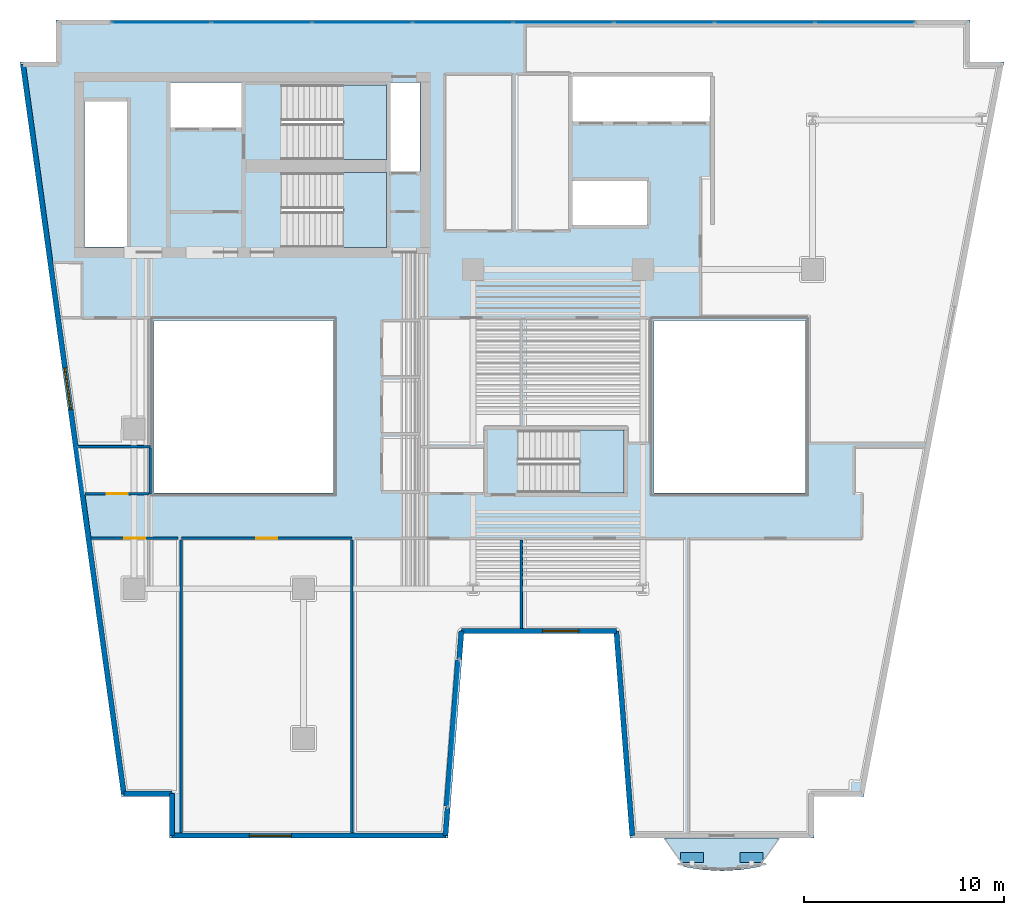
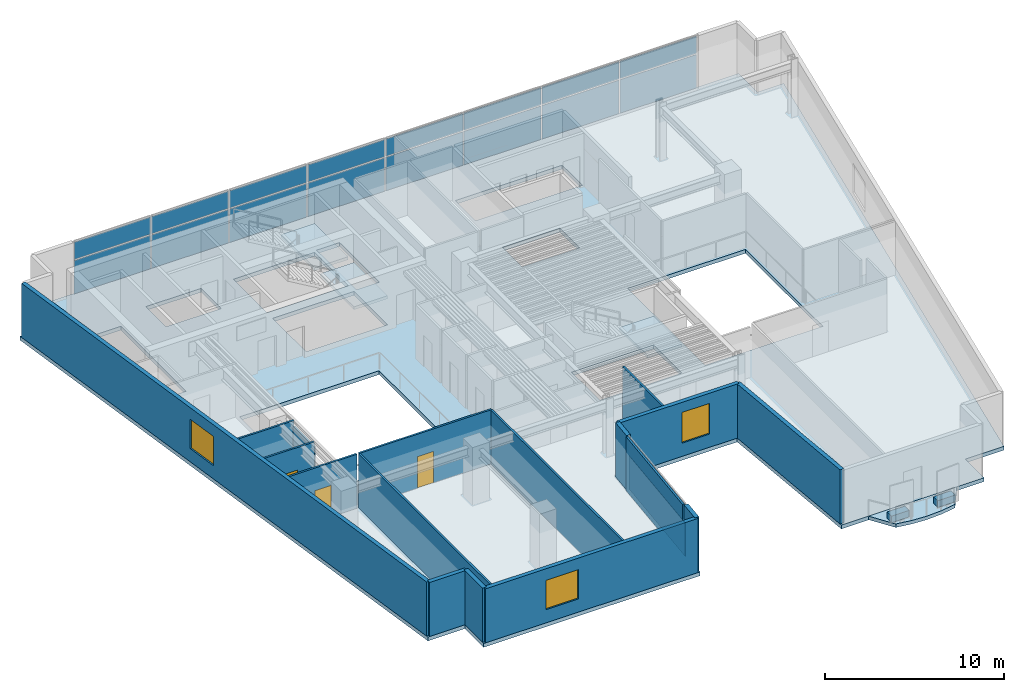
# One storey, part 5 of 12: 20 plates, 17 walls, 5 slabs, 3 doors, 3 windows, 6 openings, 5 elements without a shape of their own.
"""IFC4 building model written with IfcOpenShell, lengths in metres."""

from ifc_helpers import new_model, si_unit, direction, frame, frame_2d, origin, origin_2d, place, context, subcontext, project, spatial, polyline, rectangle, outline, extrude, material, layer, layer_set, type_object, element, fill, aggregate, save


model = new_model("IFC4")

# Units and contexts
model_context = context("Model", 3, precision=1e-05, world=origin(), true_north=direction((0.0, 1.0)))
body_context = subcontext(model_context, "Body", "Model", "MODEL_VIEW")
ifc_project = project(units=[si_unit("LENGTHUNIT", "METRE"), si_unit("AREAUNIT", "SQUARE_METRE"), si_unit("VOLUMEUNIT", "CUBIC_METRE"), si_unit("PLANEANGLEUNIT", "RADIAN"), si_unit("MASSUNIT", "GRAM", prefix="KILO")], contexts=[model_context])

# Site, building, storey
site_placement = place(None, origin())
site = spatial("IfcSite", under=ifc_project, at=site_placement, CompositionType="ELEMENT")
building_placement = place(site_placement, origin())
building = spatial("IfcBuilding", under=site, at=building_placement, Name="Caeloran Harvest Quay", CompositionType="ELEMENT")
storey_placement = place(building_placement, frame((0.0, 0.0, 150.89990234375)))
storey = spatial("IfcBuildingStorey", under=building, at=storey_placement, Name="L35", CompositionType="ELEMENT", Elevation=150.89990234375)

# Slab
ifc_material_1 = material(Name="Concrete C50/60", Category="concrete")
ifc_layer_1 = layer(ifc_material_1, 0.239990234375, Name="Concrete C50/60")
ifc_layer_set_1 = layer_set([ifc_layer_1], Name="Concrete C50/60")
slab_type_1 = type_object("IfcSlabType", Name="BALCONY-BL-240", PredefinedType="FLOOR", material=ifc_layer_set_1)
slab_1_placement = place(storey_placement, frame((0.0, 0.0, -0.239990234375)))
element("IfcSlab", 1, at=slab_1_placement, inside=storey, type_object=slab_type_1, Name="L35 Scalloped Cantilevered Planted Balcony Slab", PredefinedType="FLOOR", context=body_context, shape_type="SweptSolid", body=[
    extrude(outline(polyline([(39.869873046875, 1.070556640625), (38.913818359375, 0.9169921875), (37.95751953125, 0.861083984375), (37.001220703125, 0.9169921875), (36.045166015625, 1.070556640625), (35.102294921875, 2.5), (40.812744140625, 2.5), (39.869873046875, 1.070556640625)])), origin(), (0.0, 0.0, 1.0), 0.239990234375),
])

# Curtain wall, plates
ifc_material_2 = material(Name="Aluminium 6063-T6 and Low-E Glazing", Category="aluminium")
ifc_layer_2 = layer(ifc_material_2, 0.22998046875, Name="Aluminium 6063-T6 and Low-E Glazing")
ifc_layer_set_2 = layer_set([ifc_layer_2], Name="Aluminium 6063-T6 and Low-E Glazing")
curtain_wall_type = type_object("IfcCurtainWallType", Name="CW-SYS-CW-6", PredefinedType="USERDEFINED", material=ifc_layer_set_2)
curtain_wall_1_placement = place(storey_placement, origin())
curtain_wall_1 = element("IfcCurtainWall", 2, at=curtain_wall_1_placement, inside=storey, type_object=curtain_wall_type, Name="L35 Unitised Curtain Wall CW-6 Run 6", ObjectType="CURTAIN_WALL", PredefinedType="USERDEFINED")
ifc_material_3 = material(Name="Low-E Double Glazed Vision Glass Unit", Category="glass")
ifc_layer_3 = layer(ifc_material_3, 0.035888671875, Name="Low-E Double Glazed Vision Glass Unit")
ifc_layer_set_3 = layer_set([ifc_layer_3], Name="Low-E Double Glazed Vision Glass Unit")
plate_type_1 = type_object("IfcPlateType", Name="CW-VISION-PANEL", PredefinedType="CURTAIN_PANEL", material=ifc_layer_set_3)
plate_1_placement = place(storey_placement, frame((9.871337890625, 43.3701171875, 0.080078125), z_axis=(0.0, 0.0, 1.0), x_axis=(1.0, 0.0, 0.0)))
plate_1 = element("IfcPlate", 3, at=plate_1_placement, type_object=plate_type_1, Name="CW-6 panel 1.1", PredefinedType="CURTAIN_PANEL", context=body_context, shape_type="SweptSolid", body=[
    extrude(rectangle(XDim=4.922607421875, YDim=0.035888671875, at=origin_2d()), origin(), (0.0, 0.0, 1.0), 2.280029296875),
])
plate_2_placement = place(storey_placement, frame((9.871337890625, 43.3701171875, 2.440185546875), z_axis=(0.0, 0.0, 1.0), x_axis=(1.0, 0.0, 0.0)))
plate_2 = element("IfcPlate", 4, at=plate_2_placement, type_object=plate_type_1, Name="CW-6 panel 1.2", PredefinedType="CURTAIN_PANEL", context=body_context, shape_type="SweptSolid", body=[
    extrude(rectangle(XDim=4.922607421875, YDim=0.035888671875, at=origin_2d()), origin(), (0.0, 0.0, 1.0), 1.169921875),
])
plate_3_placement = place(storey_placement, frame((14.893798828125, 43.3701171875, 0.080078125), z_axis=(0.0, 0.0, 1.0), x_axis=(1.0, 0.0, 0.0)))
plate_3 = element("IfcPlate", 5, at=plate_3_placement, type_object=plate_type_1, Name="CW-6 panel 2.1", PredefinedType="CURTAIN_PANEL", context=body_context, shape_type="SweptSolid", body=[
    extrude(rectangle(XDim=4.96240234375, YDim=0.035888671875, at=origin_2d()), origin(), (0.0, 0.0, 1.0), 2.280029296875),
])
plate_4_placement = place(storey_placement, frame((14.893798828125, 43.3701171875, 2.440185546875), z_axis=(0.0, 0.0, 1.0), x_axis=(1.0, 0.0, 0.0)))
plate_4 = element("IfcPlate", 6, at=plate_4_placement, type_object=plate_type_1, Name="CW-6 panel 2.2", PredefinedType="CURTAIN_PANEL", context=body_context, shape_type="SweptSolid", body=[
    extrude(rectangle(XDim=4.96240234375, YDim=0.035888671875, at=origin_2d()), origin(), (0.0, 0.0, 1.0), 1.169921875),
])
plate_5_placement = place(storey_placement, frame((19.936279296875, 43.3701171875, 0.080078125), z_axis=(0.0, 0.0, 1.0), x_axis=(1.0, 0.0, 0.0)))
plate_5 = element("IfcPlate", 7, at=plate_5_placement, type_object=plate_type_1, Name="CW-6 panel 3.1", PredefinedType="CURTAIN_PANEL", context=body_context, shape_type="SweptSolid", body=[
    extrude(rectangle(XDim=4.96240234375, YDim=0.035888671875, at=origin_2d()), origin(), (0.0, 0.0, 1.0), 2.280029296875),
])
plate_6_placement = place(storey_placement, frame((19.936279296875, 43.3701171875, 2.440185546875), z_axis=(0.0, 0.0, 1.0), x_axis=(1.0, 0.0, 0.0)))
plate_6 = element("IfcPlate", 8, at=plate_6_placement, type_object=plate_type_1, Name="CW-6 panel 3.2", PredefinedType="CURTAIN_PANEL", context=body_context, shape_type="SweptSolid", body=[
    extrude(rectangle(XDim=4.96240234375, YDim=0.035888671875, at=origin_2d()), origin(), (0.0, 0.0, 1.0), 1.169921875),
])
plate_7_placement = place(storey_placement, frame((24.978759765625, 43.3701171875, 0.080078125), z_axis=(0.0, 0.0, 1.0), x_axis=(1.0, 0.0, 0.0)))
plate_7 = element("IfcPlate", 9, at=plate_7_placement, type_object=plate_type_1, Name="CW-6 panel 4.1", PredefinedType="CURTAIN_PANEL", context=body_context, shape_type="SweptSolid", body=[
    extrude(rectangle(XDim=4.96240234375, YDim=0.035888671875, at=origin_2d()), origin(), (0.0, 0.0, 1.0), 2.280029296875),
])
plate_8_placement = place(storey_placement, frame((24.978759765625, 43.3701171875, 2.440185546875), z_axis=(0.0, 0.0, 1.0), x_axis=(1.0, 0.0, 0.0)))
plate_8 = element("IfcPlate", 10, at=plate_8_placement, type_object=plate_type_1, Name="CW-6 panel 4.2", PredefinedType="CURTAIN_PANEL", context=body_context, shape_type="SweptSolid", body=[
    extrude(rectangle(XDim=4.96240234375, YDim=0.035888671875, at=origin_2d()), origin(), (0.0, 0.0, 1.0), 1.169921875),
])
plate_9_placement = place(storey_placement, frame((30.021240234375, 43.3701171875, 0.080078125), z_axis=(0.0, 0.0, 1.0), x_axis=(1.0, 0.0, 0.0)))
plate_9 = element("IfcPlate", 11, at=plate_9_placement, type_object=plate_type_1, Name="CW-6 panel 5.1", PredefinedType="CURTAIN_PANEL", context=body_context, shape_type="SweptSolid", body=[
    extrude(rectangle(XDim=4.96240234375, YDim=0.035888671875, at=origin_2d()), origin(), (0.0, 0.0, 1.0), 2.280029296875),
])
plate_10_placement = place(storey_placement, frame((30.021240234375, 43.3701171875, 2.440185546875), z_axis=(0.0, 0.0, 1.0), x_axis=(1.0, 0.0, 0.0)))
plate_10 = element("IfcPlate", 12, at=plate_10_placement, type_object=plate_type_1, Name="CW-6 panel 5.2", PredefinedType="CURTAIN_PANEL", context=body_context, shape_type="SweptSolid", body=[
    extrude(rectangle(XDim=4.96240234375, YDim=0.035888671875, at=origin_2d()), origin(), (0.0, 0.0, 1.0), 1.169921875),
])
plate_11_placement = place(storey_placement, frame((35.063720703125, 43.3701171875, 0.080078125), z_axis=(0.0, 0.0, 1.0), x_axis=(1.0, 0.0, 0.0)))
plate_11 = element("IfcPlate", 13, at=plate_11_placement, type_object=plate_type_1, Name="CW-6 panel 6.1", PredefinedType="CURTAIN_PANEL", context=body_context, shape_type="SweptSolid", body=[
    extrude(rectangle(XDim=4.96240234375, YDim=0.035888671875, at=origin_2d()), origin(), (0.0, 0.0, 1.0), 2.280029296875),
])
plate_12_placement = place(storey_placement, frame((35.063720703125, 43.3701171875, 2.440185546875), z_axis=(0.0, 0.0, 1.0), x_axis=(1.0, 0.0, 0.0)))
plate_12 = element("IfcPlate", 14, at=plate_12_placement, type_object=plate_type_1, Name="CW-6 panel 6.2", PredefinedType="CURTAIN_PANEL", context=body_context, shape_type="SweptSolid", body=[
    extrude(rectangle(XDim=4.96240234375, YDim=0.035888671875, at=origin_2d()), origin(), (0.0, 0.0, 1.0), 1.169921875),
])
plate_13_placement = place(storey_placement, frame((40.106201171875, 43.3701171875, 0.080078125), z_axis=(0.0, 0.0, 1.0), x_axis=(1.0, 0.0, 0.0)))
plate_13 = element("IfcPlate", 15, at=plate_13_placement, type_object=plate_type_1, Name="CW-6 panel 7.1", PredefinedType="CURTAIN_PANEL", context=body_context, shape_type="SweptSolid", body=[
    extrude(rectangle(XDim=4.96240234375, YDim=0.035888671875, at=origin_2d()), origin(), (0.0, 0.0, 1.0), 2.280029296875),
])
plate_14_placement = place(storey_placement, frame((40.106201171875, 43.3701171875, 2.440185546875), z_axis=(0.0, 0.0, 1.0), x_axis=(1.0, 0.0, 0.0)))
plate_14 = element("IfcPlate", 16, at=plate_14_placement, type_object=plate_type_1, Name="CW-6 panel 7.2", PredefinedType="CURTAIN_PANEL", context=body_context, shape_type="SweptSolid", body=[
    extrude(rectangle(XDim=4.96240234375, YDim=0.035888671875, at=origin_2d()), origin(), (0.0, 0.0, 1.0), 1.169921875),
])
plate_15_placement = place(storey_placement, frame((45.128662109375, 43.3701171875, 0.080078125), z_axis=(0.0, 0.0, 1.0), x_axis=(1.0, 0.0, 0.0)))
plate_15 = element("IfcPlate", 17, at=plate_15_placement, type_object=plate_type_1, Name="CW-6 panel 8.1", PredefinedType="CURTAIN_PANEL", context=body_context, shape_type="SweptSolid", body=[
    extrude(rectangle(XDim=4.922607421875, YDim=0.035888671875, at=origin_2d()), origin(), (0.0, 0.0, 1.0), 2.280029296875),
])
plate_16_placement = place(storey_placement, frame((45.128662109375, 43.3701171875, 2.440185546875), z_axis=(0.0, 0.0, 1.0), x_axis=(1.0, 0.0, 0.0)))
plate_16 = element("IfcPlate", 18, at=plate_16_placement, type_object=plate_type_1, Name="CW-6 panel 8.2", PredefinedType="CURTAIN_PANEL", context=body_context, shape_type="SweptSolid", body=[
    extrude(rectangle(XDim=4.922607421875, YDim=0.035888671875, at=origin_2d()), origin(), (0.0, 0.0, 1.0), 1.169921875),
])
aggregate(curtain_wall_1, [plate_1, plate_2, plate_3, plate_4, plate_5, plate_6, plate_7, plate_8, plate_9, plate_10, plate_11, plate_12, plate_13, plate_14, plate_15, plate_16])

curtain_wall_2_placement = place(storey_placement, origin())
curtain_wall_2 = element("IfcCurtainWall", 19, at=curtain_wall_2_placement, inside=storey, type_object=curtain_wall_type, Name="L35 Unitised Curtain Wall CW-6 Run 15", ObjectType="CURTAIN_WALL", PredefinedType="USERDEFINED")
plate_17_placement = place(storey_placement, frame((24.509765625, 7.7548828125, 0.080078125), z_axis=(0.0, 0.0, 1.0), x_axis=(-0.077821861046, -0.996967280277, 0.0)))
plate_17 = element("IfcPlate", 20, at=plate_17_placement, type_object=plate_type_1, Name="CW-6 panel 1.1", PredefinedType="CURTAIN_PANEL", context=body_context, shape_type="SweptSolid", body=[
    extrude(rectangle(XDim=7.3212890625, YDim=0.035888671875, at=origin_2d()), origin(), (0.0, 0.0, 1.0), 2.280029296875),
])
plate_18_placement = place(storey_placement, frame((24.509765625, 7.7548828125, 2.440185546875), z_axis=(0.0, 0.0, 1.0), x_axis=(-0.077821861046, -0.996967280277, 0.0)))
plate_18 = element("IfcPlate", 21, at=plate_18_placement, type_object=plate_type_1, Name="CW-6 panel 1.2", PredefinedType="CURTAIN_PANEL", context=body_context, shape_type="SweptSolid", body=[
    extrude(rectangle(XDim=7.3212890625, YDim=0.035888671875, at=origin_2d()), origin(), (0.0, 0.0, 1.0), 1.169921875),
])
aggregate(curtain_wall_2, [plate_17, plate_18])

# Plates
ifc_material_4 = material(Name="Precast concrete C50/60", Category="concrete")
ifc_layer_4 = layer(ifc_material_4, 0.449951171875, Name="Precast concrete C50/60")
ifc_layer_set_4 = layer_set([ifc_layer_4], Name="Precast concrete C50/60")
plate_type_2 = type_object("IfcPlateType", Name="PLANTER-TROUGH-450", PredefinedType="USERDEFINED", material=ifc_layer_set_4)
for number, where, z_axis, x_axis, name in (
    (22, (39.44921875, 1.533203125, 0.0), (0.0, 0.0, 1.0), (1.0, 0.0, 0.0), "L35 Balcony Vertical-Greenery Precast PLANTER Trough 1"),
    (23, (36.4658203125, 1.533203125, 0.0), (0.0, 0.0, 1.0), (1.0, 0.0, 0.0), "L35 Balcony Vertical-Greenery Precast PLANTER Trough 2"),
):
    element("IfcPlate", number, at=place(storey_placement, frame(where, z_axis=z_axis, x_axis=x_axis)), inside=storey, type_object=plate_type_2, Name=name, ObjectType="PLANTER", PredefinedType="USERDEFINED", context=body_context, shape_type="SweptSolid", body=[
        extrude(rectangle(XDim=1.14990234375, YDim=0.47998046875, at=origin_2d()), origin(), (0.0, 0.0, 1.0), 0.449951171875),
    ])

# Slab
ifc_layer_5 = layer(ifc_material_1, 0.260009765625, Name="Concrete C50/60")
ifc_layer_set_5 = layer_set([ifc_layer_5], Name="Concrete C50/60")
slab_type_2 = type_object("IfcSlabType", Name="SLAB-FS-260", PredefinedType="FLOOR", material=ifc_layer_set_5)
slab_2_placement = place(storey_placement, frame((0.0, 0.0, -0.260009765625)))
element("IfcSlab", 24, at=slab_2_placement, inside=storey, type_object=slab_type_2, Name="L35 Structural Floor Slab", PredefinedType="FLOOR", context=body_context, shape_type="SweptSolid", body=[
    extrude(outline(polyline([(10.27001953125, 2.5), (24.22998046875, 2.5), (25.030029296875, 12.75), (32.554931640625, 12.75), (33.35498046875, 2.5), (42.570068359375, 2.5), (42.570068359375, 4.60009765625), (45.071044921875, 4.60009765625), (52.09912109375, 41.39990234375), (50.39990234375, 41.39990234375), (50.39990234375, 43.5), (4.60009765625, 43.5), (4.60009765625, 41.39990234375), (2.790283203125, 41.39990234375), (7.879638671875, 4.60009765625), (10.27001953125, 4.60009765625), (10.27001953125, 2.5)]), holes=[polyline([(27.75, 19.800048828125), (27.75, 22.949951171875), (33.050048828125, 22.949951171875), (33.050048828125, 19.800048828125), (27.75, 19.800048828125)]), polyline([(18.5, 19.800048828125), (9.5, 19.800048828125), (9.5, 28.449951171875), (18.5, 28.449951171875), (18.5, 19.800048828125)]), polyline([(42.14990234375, 19.800048828125), (34.550048828125, 19.800048828125), (34.550048828125, 28.449951171875), (42.14990234375, 28.449951171875), (42.14990234375, 19.800048828125)]), polyline([(15.89990234375, 35.85009765625), (21.14990234375, 35.85009765625), (21.14990234375, 32.10009765625), (15.89990234375, 32.10009765625), (15.89990234375, 35.85009765625)]), polyline([(30.47998046875, 33.219970703125), (30.47998046875, 35.429931640625), (34.199951171875, 35.429931640625), (34.199951171875, 33.219970703125), (30.47998046875, 33.219970703125)]), polyline([(8.159912109375, 32.1201171875), (6.02001953125, 32.1201171875), (6.02001953125, 39.419921875), (8.159912109375, 39.419921875), (8.159912109375, 32.1201171875)]), polyline([(22.830078125, 35.919921875), (21.35009765625, 35.919921875), (21.35009765625, 40.3798828125), (22.830078125, 40.3798828125), (22.830078125, 35.919921875)]), polyline([(15.89990234375, 36.5), (15.89990234375, 40.25), (21.14990234375, 40.25), (21.14990234375, 36.5), (15.89990234375, 36.5)]), polyline([(10.320068359375, 38.1201171875), (10.320068359375, 40.3798828125), (13.89990234375, 40.3798828125), (13.89990234375, 38.1201171875), (10.320068359375, 38.1201171875)]), polyline([(30.47998046875, 38.419921875), (30.47998046875, 40.679931640625), (37.3798828125, 40.679931640625), (37.3798828125, 38.419921875), (30.47998046875, 38.419921875)])]), origin(), (0.0, 0.0, 1.0), 0.260009765625),
])

# Stair, slab
stair_type_1 = type_object("IfcStairType", Name="STAIR-STC-180", PredefinedType="HALF_TURN_STAIR", material=ifc_material_1)
stair_1_placement = place(storey_placement, origin())
stair_1 = element("IfcStair", 25, at=stair_1_placement, inside=storey, type_object=stair_type_1, Name="L35 Core Pressurized Exit Stair ST-C1", PredefinedType="HALF_TURN_STAIR")
ifc_layer_6 = layer(ifc_material_1, 0.219970703125, Name="Concrete C50/60")
ifc_layer_set_6 = layer_set([ifc_layer_6], Name="Concrete C50/60")
slab_type_3 = type_object("IfcSlabType", Name="STAIR-LANDING-220", PredefinedType="LANDING", material=ifc_layer_set_6)
slab_3_placement = place(storey_placement, frame((0.0, 0.0, 1.775146484375)))
slab_3 = element("IfcSlab", 26, at=slab_3_placement, type_object=slab_type_3, Name="ST-C1 landing 1", PredefinedType="LANDING", context=body_context, shape_type="SweptSolid", body=[
    extrude(outline(polyline([(18.97998046875, 36.5), (21.14990234375, 36.5), (21.14990234375, 40.25), (18.97998046875, 40.25), (18.97998046875, 36.5)])), origin(), (0.0, 0.0, 1.0), 0.199951171875),
])
aggregate(stair_1, [slab_3])

stair_2_placement = place(storey_placement, origin())
stair_2 = element("IfcStair", 27, at=stair_2_placement, inside=storey, type_object=stair_type_1, Name="L35 Core Pressurized Exit Stair ST-C2", PredefinedType="HALF_TURN_STAIR")
slab_4_placement = place(storey_placement, frame((0.0, 0.0, 1.775146484375)))
slab_4 = element("IfcSlab", 28, at=slab_4_placement, type_object=slab_type_3, Name="ST-C2 landing 1", PredefinedType="LANDING", context=body_context, shape_type="SweptSolid", body=[
    extrude(outline(polyline([(18.97998046875, 32.10009765625), (21.14990234375, 32.10009765625), (21.14990234375, 35.85009765625), (18.97998046875, 35.85009765625), (18.97998046875, 32.10009765625)])), origin(), (0.0, 0.0, 1.0), 0.199951171875),
])
aggregate(stair_2, [slab_4])

stair_type_2 = type_object("IfcStairType", Name="STAIR-STW-150", PredefinedType="HALF_TURN_STAIR", material=ifc_material_1)
stair_3_placement = place(storey_placement, origin())
stair_3 = element("IfcStair", 29, at=stair_3_placement, inside=storey, type_object=stair_type_2, Name="L35 East Wing Protected Exit Stair ST-W1", PredefinedType="HALF_TURN_STAIR")
slab_5_placement = place(storey_placement, frame((0.0, 0.0, 1.775146484375)))
slab_5 = element("IfcSlab", 30, at=slab_5_placement, type_object=slab_type_3, Name="ST-W1 landing 1", PredefinedType="LANDING", context=body_context, shape_type="SweptSolid", body=[
    extrude(outline(polyline([(30.830078125, 19.800048828125), (33.050048828125, 19.800048828125), (33.050048828125, 22.949951171875), (30.830078125, 22.949951171875), (30.830078125, 19.800048828125)])), origin(), (0.0, 0.0, 1.0), 0.199951171875),
])
aggregate(stair_3, [slab_5])

# Walls
ifc_layer_7 = layer(ifc_material_4, 0.260009765625, Name="Precast concrete C50/60")
ifc_layer_set_7 = layer_set([ifc_layer_7], Name="Precast concrete C50/60")
wall_type_1 = type_object("IfcWallType", Name="ENV-WALL-EW-260", PredefinedType="STANDARD", material=ifc_layer_set_7)
wall_1_placement = place(storey_placement, frame((10.39990234375, 2.6298828125, 0.0), z_axis=(0.0, 0.0, 1.0), x_axis=(0.0, 1.0, 0.0)))
element("IfcWall", 31, at=wall_1_placement, inside=storey, type_object=wall_type_1, Name="L35 Exterior Precast Concrete Facade Wall 1", PredefinedType="STANDARD", context=body_context, shape_type="SweptSolid", body=[
    extrude(rectangle(XDim=2.10009765625, YDim=0.260009765625, at=frame_2d((1.050048828125, 0.0))), origin(), (0.0, 0.0, 1.0), 3.690185546875),
])
wall_2_placement = place(storey_placement, frame((10.39990234375, 4.72998046875, 0.0), z_axis=(0.0, 0.0, 1.0), x_axis=(-1.0, 0.0, 0.0)))
element("IfcWall", 32, at=wall_2_placement, inside=storey, type_object=wall_type_1, Name="L35 Exterior Precast Concrete Facade Wall 2", PredefinedType="STANDARD", context=body_context, shape_type="SweptSolid", body=[
    extrude(rectangle(XDim=2.406982421875, YDim=0.260009765625, at=frame_2d((1.20361328125, 0.0))), origin(), (0.0, 0.0, 1.0), 3.690185546875),
])

# Wall, opening, window
wall_3_placement = place(storey_placement, frame((7.992919921875, 4.72998046875, 0.0), z_axis=(0.0, 0.0, 1.0), x_axis=(-0.136989009016, 0.990572567462, 0.0)))
wall_3 = element("IfcWall", 33, at=wall_3_placement, inside=storey, type_object=wall_type_1, Name="L35 Exterior Precast Concrete Facade Wall 3", PredefinedType="STANDARD", context=body_context, shape_type="SweptSolid", body=[
    extrude(rectangle(XDim=36.8876953125, YDim=0.260009765625, at=frame_2d((18.44384765625, 0.0))), origin(), (0.0, 0.0, 1.0), 3.690185546875),
])
opening_1_placement = place(wall_3_placement, frame((19.43505859375, 0.0, 0.89990234375)))
opening_1 = element("IfcOpeningElement", 34, at=opening_1_placement, cuts=wall_3, Name="Opening W-06", PredefinedType="OPENING", context=body_context, shape_type="SweptSolid", body=[
    extrude(rectangle(XDim=2.10009765625, YDim=2.0, at=frame_2d((1.050048828125, 1.0))), frame((0.0, 0.14013671875, 0.0), z_axis=(0.0, -1.0, 0.0), x_axis=(1.0, 0.0, 0.0)), (0.0, 0.0, 1.0), 0.280029296875),
])
ifc_material_5 = material(Name="Aluminium-Framed Low-E Laminated Glass", Category="aluminium")
window_type_1 = type_object("IfcWindowType", Name="WIN-W-06", PartitioningType="DOUBLE_PANEL_VERTICAL", PredefinedType="WINDOW", material=ifc_material_5)
window_1_placement = place(opening_1_placement, origin())
window_1 = element("IfcWindow", 35, at=window_1_placement, inside=storey, type_object=window_type_1, Name="L35 Facade Punched Window W-06", OverallHeight=2.0, OverallWidth=2.10009765625, PartitioningType="DOUBLE_PANEL_VERTICAL", PredefinedType="WINDOW", context=body_context, shape_type="SweptSolid", body=[
    extrude(rectangle(XDim=2.10009765625, YDim=2.0, at=frame_2d((1.050048828125, 1.0))), frame((0.0, 0.030029296875, 0.0), z_axis=(0.0, -1.0, 0.0), x_axis=(1.0, 0.0, 0.0)), (0.0, 0.0, 1.0), 0.06005859375),
])
fill(opening_1, window_1)

# Wall
wall_4_placement = place(storey_placement, frame((33.47509765625, 2.6298828125, 0.0), z_axis=(0.0, 0.0, 1.0), x_axis=(-0.077793257511, 0.996969512616, 0.0)))
element("IfcWall", 36, at=wall_4_placement, inside=storey, type_object=wall_type_1, Name="L35 Exterior Precast Concrete Facade Wall 13", PredefinedType="STANDARD", context=body_context, shape_type="SweptSolid", body=[
    extrude(rectangle(XDim=10.28125, YDim=0.260009765625, at=frame_2d((5.140625, 0.0))), origin(), (0.0, 0.0, 1.0), 3.690185546875),
])

# Wall, opening, window
wall_5_placement = place(storey_placement, frame((32.67529296875, 12.8798828125, 0.0), z_axis=(0.0, 0.0, 1.0), x_axis=(-1.0, 0.0, 0.0)))
wall_5 = element("IfcWall", 37, at=wall_5_placement, inside=storey, type_object=wall_type_1, Name="L35 Exterior Precast Concrete Facade Wall 14", PredefinedType="STANDARD", context=body_context, shape_type="SweptSolid", body=[
    extrude(rectangle(XDim=7.765380859375, YDim=0.260009765625, at=frame_2d((3.8828125, 0.0))), origin(), (0.0, 0.0, 1.0), 3.690185546875),
])
opening_2_placement = place(wall_5_placement, frame((1.89599609375, 0.0, 0.89990234375)))
opening_2 = element("IfcOpeningElement", 38, at=opening_2_placement, cuts=wall_5, Name="Opening W-01", PredefinedType="OPENING", context=body_context, shape_type="SweptSolid", body=[
    extrude(rectangle(XDim=1.800048828125, YDim=2.10009765625, at=frame_2d((0.89990234375, 1.050048828125))), frame((0.0, 0.14013671875, 0.0), z_axis=(0.0, -1.0, 0.0), x_axis=(1.0, 0.0, 0.0)), (0.0, 0.0, 1.0), 0.280029296875),
])
window_type_2 = type_object("IfcWindowType", Name="WIN-W-01", PartitioningType="SINGLE_PANEL", PredefinedType="WINDOW", material=ifc_material_5)
window_2_placement = place(opening_2_placement, origin())
window_2 = element("IfcWindow", 39, at=window_2_placement, inside=storey, type_object=window_type_2, Name="L35 Facade Punched Window W-01", OverallHeight=2.10009765625, OverallWidth=1.800048828125, PartitioningType="SINGLE_PANEL", PredefinedType="WINDOW", context=body_context, shape_type="SweptSolid", body=[
    extrude(rectangle(XDim=1.800048828125, YDim=2.10009765625, at=frame_2d((0.89990234375, 1.050048828125))), frame((0.0, 0.030029296875, 0.0), z_axis=(0.0, -1.0, 0.0), x_axis=(1.0, 0.0, 0.0)), (0.0, 0.0, 1.0), 0.06005859375),
])
fill(opening_2, window_2)

# Walls
for number, where, z_axis, x_axis, name in (
    (40, (24.909912109375, 12.8798828125, 0.0), (0.0, 0.0, 1.0), (-0.077949956455, -0.996957273051, 0.0), "L35 Exterior Facade Corner Pier Wall 15A"),
    (41, (24.21875, 4.025634765625, 0.0), (0.0, 0.0, 1.0), (-0.077776627829, -0.996970810086, 0.0), "L35 Exterior Facade Corner Pier Wall 15B"),
):
    element("IfcWall", number, at=place(storey_placement, frame(where, z_axis=z_axis, x_axis=x_axis)), inside=storey, type_object=wall_type_1, Name=name, PredefinedType="STANDARD", context=body_context, shape_type="SweptSolid", body=[
        extrude(rectangle(XDim=1.39990234375, YDim=0.260009765625, at=frame_2d((0.699951171875, 0.0))), origin(), (0.0, 0.0, 1.0), 3.690185546875),
    ])

# Wall, opening, window
wall_6_placement = place(storey_placement, frame((24.10986328125, 2.6298828125, 0.0), z_axis=(0.0, 0.0, 1.0), x_axis=(-1.0, 0.0, 0.0)))
wall_6 = element("IfcWall", 42, at=wall_6_placement, inside=storey, type_object=wall_type_1, Name="L35 Exterior Precast Concrete Facade Wall 16", PredefinedType="STANDARD", context=body_context, shape_type="SweptSolid", body=[
    extrude(rectangle(XDim=13.7099609375, YDim=0.260009765625, at=frame_2d((6.85498046875, 0.0))), origin(), (0.0, 0.0, 1.0), 3.690185546875),
])
opening_3_placement = place(wall_6_placement, frame((7.72412109375, 0.0, 0.89990234375)))
opening_3 = element("IfcOpeningElement", 43, at=opening_3_placement, cuts=wall_6, Name="Opening W-06", PredefinedType="OPENING", context=body_context, shape_type="SweptSolid", body=[
    extrude(rectangle(XDim=2.10009765625, YDim=2.0, at=frame_2d((1.050048828125, 1.0))), frame((0.0, 0.14013671875, 0.0), z_axis=(0.0, -1.0, 0.0), x_axis=(1.0, 0.0, 0.0)), (0.0, 0.0, 1.0), 0.280029296875),
])
window_3_placement = place(opening_3_placement, origin())
window_3 = element("IfcWindow", 44, at=window_3_placement, inside=storey, type_object=window_type_1, Name="L35 Facade Punched Window W-06", OverallHeight=2.0, OverallWidth=2.10009765625, PartitioningType="DOUBLE_PANEL_VERTICAL", PredefinedType="WINDOW", context=body_context, shape_type="SweptSolid", body=[
    extrude(rectangle(XDim=2.10009765625, YDim=2.0, at=frame_2d((1.050048828125, 1.0))), frame((0.0, 0.030029296875, 0.0), z_axis=(0.0, -1.0, 0.0), x_axis=(1.0, 0.0, 0.0)), (0.0, 0.0, 1.0), 0.06005859375),
])
fill(opening_3, window_3)

# Wall, opening, door
ifc_material_6 = material(Name="Twin-Stud Mineral-Wool Acoustic Gypsum Partition", Category="gypsum")
ifc_layer_8 = layer(ifc_material_6, 0.125, Name="Twin-Stud Mineral-Wool Acoustic Gypsum Partition")
ifc_layer_set_8 = layer_set([ifc_layer_8], Name="Twin-Stud Mineral-Wool Acoustic Gypsum Partition")
wall_type_2 = type_object("IfcWallType", Name="INT-WALL-PW-125", PredefinedType="PARTITIONING", material=ifc_layer_set_8)
wall_7_placement = place(storey_placement, frame((10.8798828125, 17.52001953125, 0.0), z_axis=(0.0, 0.0, 1.0), x_axis=(1.0, 0.0, 0.0)))
wall_7 = element("IfcWall", 45, at=wall_7_placement, inside=storey, type_object=wall_type_2, Name="Supply-Chain Digital Trading Floor Office Partition Wall", PredefinedType="PARTITIONING", context=body_context, shape_type="SweptSolid", body=[
    extrude(rectangle(XDim=8.5400390625, YDim=0.125, at=frame_2d((4.27001953125, 0.0))), origin(), (0.0, 0.0, 1.0), 3.690185546875),
])
opening_4_placement = place(wall_7_placement, frame((3.7451171875, 0.0, 0.0)))
opening_4 = element("IfcOpeningElement", 46, at=opening_4_placement, cuts=wall_7, Name="Opening ID-03", PredefinedType="OPENING", context=body_context, shape_type="SweptSolid", body=[
    extrude(rectangle(XDim=1.050048828125, YDim=2.14990234375, at=frame_2d((0.52490234375, 1.074951171875))), frame((0.0, 0.072509765625, 0.0), z_axis=(0.0, -1.0, 0.0), x_axis=(1.0, 0.0, 0.0)), (0.0, 0.0, 1.0), 0.14501953125),
])
ifc_material_7 = material(Name="FSC Solid-Core Oak Timber Leaf", Category="wood")
door_type = type_object("IfcDoorType", Name="INTDOOR-ID-03", OperationType="NOTDEFINED", PredefinedType="DOOR", material=ifc_material_7)
door_1_placement = place(opening_4_placement, origin())
door_1 = element("IfcDoor", 47, at=door_1_placement, inside=storey, type_object=door_type, Name="Supply-Chain Digital Trading Floor Office Access Door", OperationType="SINGLE_SWING_LEFT", OverallHeight=2.14990234375, OverallWidth=1.050048828125, PredefinedType="DOOR", context=body_context, shape_type="SweptSolid", body=[
    extrude(rectangle(XDim=1.050048828125, YDim=2.14990234375, at=frame_2d((0.52490234375, 1.074951171875))), frame((0.0, 0.02490234375, 0.0), z_axis=(0.0, -1.0, 0.0), x_axis=(1.0, 0.0, 0.0)), (0.0, 0.0, 1.0), 0.050048828125),
])
fill(opening_4, door_1)

# Walls
for number, where, z_axis, x_axis, name in (
    (48, (19.419921875, 17.452392578125, 0.0), (0.0, 0.0, 1.0), (0.0, -1.0, 0.0), "Supply-Chain Digital Trading Floor Office Partition Wall"),
    (49, (10.8798828125, 2.764892578125, 0.0), (0.0, 0.0, 1.0), (0.0, 1.0, 0.0), "Supply-Chain Digital Trading Floor Office Partition Wall"),
):
    element("IfcWall", number, at=place(storey_placement, frame(where, z_axis=z_axis, x_axis=x_axis)), inside=storey, type_object=wall_type_2, Name=name, PredefinedType="PARTITIONING", context=body_context, shape_type="SweptSolid", body=[
        extrude(rectangle(XDim=14.6875, YDim=0.125, at=frame_2d((7.34375, 0.0))), origin(), (0.0, 0.0, 1.0), 3.690185546875),
    ])
wall_8_placement = place(storey_placement, frame((24.665771484375, 11.419921875, 0.0), z_axis=(0.0, 0.0, 1.0), x_axis=(-0.077816821526, -0.996967673642, 0.0)))
element("IfcWall", 50, at=wall_8_placement, inside=storey, type_object=wall_type_2, Name="Climate Risk Modelling Office Partition Wall", PredefinedType="PARTITIONING", context=body_context, shape_type="SweptSolid", body=[
    extrude(rectangle(XDim=7.33203125, YDim=0.125, at=frame_2d((3.666015625, 0.0))), origin(), (0.0, 0.0, 1.0), 3.690185546875),
])
wall_9_placement = place(storey_placement, frame((27.919921875, 17.452392578125, 0.0), z_axis=(0.0, 0.0, 1.0), x_axis=(0.0, -1.0, 0.0)))
element("IfcWall", 51, at=wall_9_placement, inside=storey, type_object=wall_type_2, Name="Climate Risk Modelling Office Partition Wall", PredefinedType="PARTITIONING", context=body_context, shape_type="SweptSolid", body=[
    extrude(rectangle(XDim=4.4375, YDim=0.125, at=frame_2d((2.21875, 0.0))), origin(), (0.0, 0.0, 1.0), 3.690185546875),
])

# Wall, opening, door
wall_10_placement = place(storey_placement, frame((6.3603515625, 17.52001953125, 0.0), z_axis=(0.0, 0.0, 1.0), x_axis=(1.0, 0.0, 0.0)))
wall_10 = element("IfcWall", 52, at=wall_10_placement, inside=storey, type_object=wall_type_2, Name="Quantitative Analytics Office Partition Wall", PredefinedType="PARTITIONING", context=body_context, shape_type="SweptSolid", body=[
    extrude(rectangle(XDim=4.359619140625, YDim=0.125, at=frame_2d((2.1796875, 0.0))), origin(), (0.0, 0.0, 1.0), 3.690185546875),
])
opening_5_placement = place(wall_10_placement, frame((1.65478515625, 0.0, 0.0)))
opening_5 = element("IfcOpeningElement", 53, at=opening_5_placement, cuts=wall_10, Name="Opening ID-03", PredefinedType="OPENING", context=body_context, shape_type="SweptSolid", body=[
    extrude(rectangle(XDim=1.050048828125, YDim=2.14990234375, at=frame_2d((0.52490234375, 1.074951171875))), frame((0.0, 0.072509765625, 0.0), z_axis=(0.0, -1.0, 0.0), x_axis=(1.0, 0.0, 0.0)), (0.0, 0.0, 1.0), 0.14501953125),
])
door_2_placement = place(opening_5_placement, origin())
door_2 = element("IfcDoor", 54, at=door_2_placement, inside=storey, type_object=door_type, Name="Quantitative Analytics Office Access Door", OperationType="SINGLE_SWING_RIGHT", OverallHeight=2.14990234375, OverallWidth=1.050048828125, PredefinedType="DOOR", context=body_context, shape_type="SweptSolid", body=[
    extrude(rectangle(XDim=1.050048828125, YDim=2.14990234375, at=frame_2d((0.52490234375, 1.074951171875))), frame((0.0, 0.02490234375, 0.0), z_axis=(0.0, -1.0, 0.0), x_axis=(1.0, 0.0, 0.0)), (0.0, 0.0, 1.0), 0.050048828125),
])
fill(opening_5, door_2)

# Walls
wall_11_placement = place(storey_placement, frame((5.72412109375, 22.1201171875, 0.0), z_axis=(0.0, 0.0, 1.0), x_axis=(1.0, 0.0, 0.0)))
element("IfcWall", 55, at=wall_11_placement, inside=storey, type_object=wall_type_2, Name="Breakout Dining Kitchen Partition Wall", PredefinedType="PARTITIONING", context=body_context, shape_type="SweptSolid", body=[
    extrude(rectangle(XDim=3.595947265625, YDim=0.125, at=frame_2d((1.7978515625, 0.0))), origin(), (0.0, 0.0, 1.0), 3.690185546875),
])
wall_12_placement = place(storey_placement, frame((9.320068359375, 22.052490234375, 0.0), z_axis=(0.0, 0.0, 1.0), x_axis=(0.0, -1.0, 0.0)))
element("IfcWall", 56, at=wall_12_placement, inside=storey, type_object=wall_type_2, Name="Breakout Dining Kitchen Partition Wall", PredefinedType="PARTITIONING", context=body_context, shape_type="SweptSolid", body=[
    extrude(rectangle(XDim=2.302490234375, YDim=0.125, at=frame_2d((1.1513671875, 0.0))), origin(), (0.0, 0.0, 1.0), 3.315185546875),
])

# Wall, opening, door
wall_13_placement = place(storey_placement, frame((9.25244140625, 19.75, 0.0), z_axis=(0.0, 0.0, 1.0), x_axis=(-1.0, 0.0, 0.0)))
wall_13 = element("IfcWall", 57, at=wall_13_placement, inside=storey, type_object=wall_type_2, Name="Breakout Dining Kitchen Partition Wall", PredefinedType="PARTITIONING", context=body_context, shape_type="SweptSolid", body=[
    extrude(rectangle(XDim=3.200439453125, YDim=0.125, at=frame_2d((1.60009765625, 0.0))), origin(), (0.0, 0.0, 1.0), 3.690185546875),
])
opening_6_placement = place(wall_13_placement, frame((1.0751953125, 0.0, 0.0)))
opening_6 = element("IfcOpeningElement", 58, at=opening_6_placement, cuts=wall_13, Name="Opening ID-03", PredefinedType="OPENING", context=body_context, shape_type="SweptSolid", body=[
    extrude(rectangle(XDim=1.050048828125, YDim=2.14990234375, at=frame_2d((0.52490234375, 1.074951171875))), frame((0.0, 0.072509765625, 0.0), z_axis=(0.0, -1.0, 0.0), x_axis=(1.0, 0.0, 0.0)), (0.0, 0.0, 1.0), 0.14501953125),
])
door_3_placement = place(opening_6_placement, origin())
door_3 = element("IfcDoor", 59, at=door_3_placement, inside=storey, type_object=door_type, Name="Breakout Dining Kitchen Access Door", OperationType="SINGLE_SWING_LEFT", OverallHeight=2.14990234375, OverallWidth=1.050048828125, PredefinedType="DOOR", context=body_context, shape_type="SweptSolid", body=[
    extrude(rectangle(XDim=1.050048828125, YDim=2.14990234375, at=frame_2d((0.52490234375, 1.074951171875))), frame((0.0, 0.02490234375, 0.0), z_axis=(0.0, -1.0, 0.0), x_axis=(1.0, 0.0, 0.0)), (0.0, 0.0, 1.0), 0.050048828125),
])
fill(opening_6, door_3)

save(model, "model.ifc")
